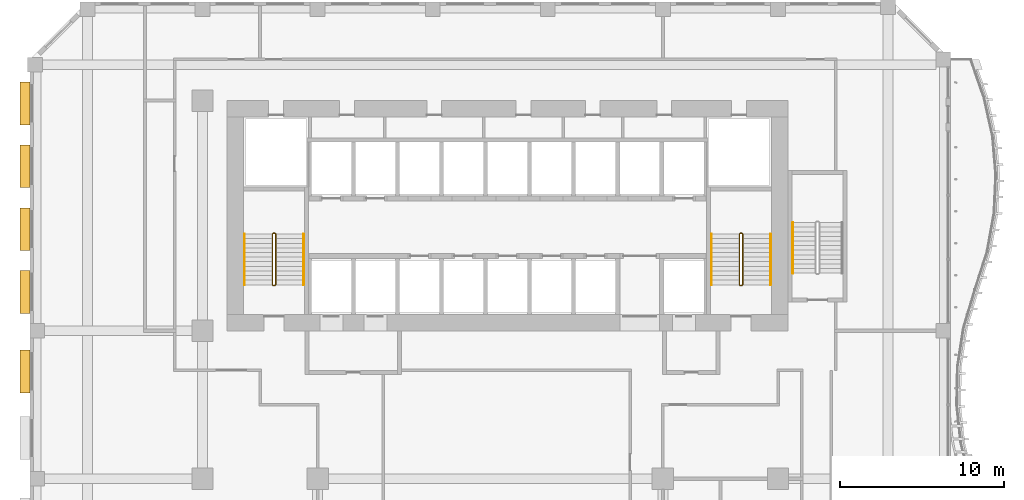
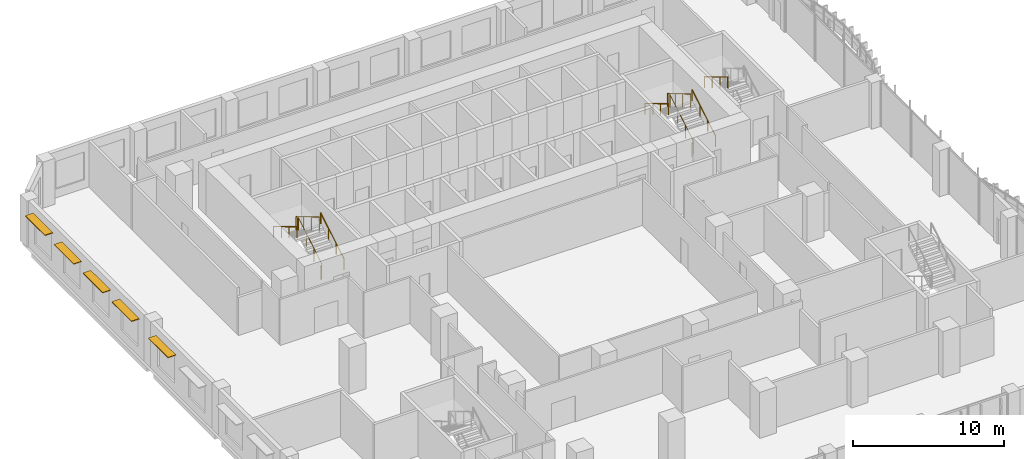
# One storey, part 23 of 24: 7 railings, 5 shading devices.
"""IFC4 building model written with IfcOpenShell, lengths in metres."""

from ifc_helpers import new_model, si_unit, direction, frame, origin, origin_2d, place, context, subcontext, project, spatial, rectangle, circle, extrude, source, transform, mapped, material, layer, layer_set, type_object, element, save


model = new_model("IFC4")

# Units and contexts
model_context = context("Model", 3, precision=1e-05, world=origin(), true_north=direction((0.0, 1.0)))
body_context = subcontext(model_context, "Body", "Model", "MODEL_VIEW")
ifc_project = project(units=[si_unit("LENGTHUNIT", "METRE"), si_unit("AREAUNIT", "SQUARE_METRE"), si_unit("VOLUMEUNIT", "CUBIC_METRE"), si_unit("PLANEANGLEUNIT", "RADIAN"), si_unit("MASSUNIT", "GRAM", prefix="KILO")], contexts=[model_context])

# Site, building, storey
site_placement = place(None, origin())
site = spatial("IfcSite", under=ifc_project, at=site_placement, CompositionType="ELEMENT")
building_placement = place(site_placement, origin())
building = spatial("IfcBuilding", under=site, at=building_placement, Name="Kilnfold Tower and Market Hall", CompositionType="ELEMENT")
storey_placement = place(building_placement, frame((0.0, 0.0, 35.0)))
storey = spatial("IfcBuildingStorey", under=building, at=storey_placement, Name="L07", CompositionType="ELEMENT", Elevation=35.0)

# Railings
ifc_material_1 = material(Name="Stainless steel 316", Category="steel")
railing_type_1 = type_object("IfcRailingType", Name="CORE STAIR GUARD 1100", PredefinedType="GUARDRAIL", material=ifc_material_1)
railing_1_placement = place(storey_placement, frame((-13.199951171875, 10.75, 0.0)))
element("IfcRailing", 1, at=railing_1_placement, inside=storey, type_object=railing_type_1, Name="L07 ST1 stair guard 1", PredefinedType="GUARDRAIL", context=body_context, shape_type="SweptSolid", body=[
    extrude(circle(Radius=0.02392578125, at=origin_2d()), frame((0.0, 0.0, 1.076171875), z_axis=(1.0, 0.0, 0.0), x_axis=(0.0, 1.0, 0.0)), (0.0, 0.0, 1.0), 0.099853515625),
    extrude(circle(Radius=0.02392578125, at=origin_2d()), frame((0.099853515625, 0.0, 1.076171875), z_axis=(0.27628659633, 0.27628659633, 0.920506074601), x_axis=(-0.707106781187, 0.707106781187, 0.0)), (0.0, 0.0, 1.0), 0.18115234375),
    extrude(circle(Radius=0.02392578125, at=origin_2d()), frame((0.14990234375, 0.050048828125, 1.24267578125), z_axis=(0.0, 0.859290745958, 0.51148745235), x_axis=(-1.0, 0.0, 0.0)), (0.0, 0.0, 1.0), 3.584228515625),
    extrude(circle(Radius=0.02392578125, at=origin_2d()), frame((0.14990234375, 3.1298828125, 3.076171875), z_axis=(-0.707106781187, 0.707106781187, 0.0), x_axis=(-0.707106781187, -0.707106781187, 0.0)), (0.0, 0.0, 1.0), 0.07080078125),
    extrude(circle(Radius=0.02392578125, at=origin_2d()), frame((0.099853515625, 3.179931640625, 3.076171875), z_axis=(-1.0, 0.0, 0.0), x_axis=(0.0, -1.0, 0.0)), (0.0, 0.0, 1.0), 0.099853515625),
    extrude(circle(Radius=0.02392578125, at=origin_2d()), frame((0.0, 3.179931640625, 3.076171875), z_axis=(-0.27628659633, -0.27628659633, 0.920506074601), x_axis=(0.707106781187, -0.707106781187, 0.0)), (0.0, 0.0, 1.0), 0.18115234375),
    extrude(circle(Radius=0.02392578125, at=origin_2d()), frame((-0.050048828125, 3.1298828125, 3.24267578125), z_axis=(0.0, -0.859290745958, 0.51148745235), x_axis=(1.0, 0.0, 0.0)), (0.0, 0.0, 1.0), 3.584228515625),
    extrude(circle(Radius=0.02099609375, at=origin_2d()), origin(), (0.0, 0.0, 1.0), 1.052001953125),
    extrude(circle(Radius=0.02099609375, at=origin_2d()), frame((0.099853515625, 0.0, 0.0)), (0.0, 0.0, 1.0), 1.052001953125),
    extrude(circle(Radius=0.02099609375, at=origin_2d()), frame((0.14990234375, 0.050048828125, 0.166748046875)), (0.0, 0.0, 1.0), 1.052001953125),
    extrude(circle(Radius=0.02099609375, at=origin_2d()), frame((0.14990234375, 1.07666015625, 0.77783203125)), (0.0, 0.0, 1.0), 1.052001953125),
    extrude(circle(Radius=0.02099609375, at=origin_2d()), frame((0.14990234375, 2.103271484375, 1.388916015625)), (0.0, 0.0, 1.0), 1.052001953125),
    extrude(circle(Radius=0.02099609375, at=origin_2d()), frame((0.14990234375, 3.1298828125, 2.0)), (0.0, 0.0, 1.0), 1.052001953125),
    extrude(circle(Radius=0.02099609375, at=origin_2d()), frame((0.099853515625, 3.179931640625, 2.0)), (0.0, 0.0, 1.0), 1.052001953125),
    extrude(circle(Radius=0.02099609375, at=origin_2d()), frame((0.0, 3.179931640625, 2.0)), (0.0, 0.0, 1.0), 1.052001953125),
    extrude(circle(Radius=0.02099609375, at=origin_2d()), frame((-0.050048828125, 3.1298828125, 2.166748046875)), (0.0, 0.0, 1.0), 1.052001953125),
    extrude(circle(Radius=0.02099609375, at=origin_2d()), frame((-0.050048828125, 2.103271484375, 2.77783203125)), (0.0, 0.0, 1.0), 1.052001953125),
    extrude(circle(Radius=0.02099609375, at=origin_2d()), frame((-0.050048828125, 1.07666015625, 3.388916015625)), (0.0, 0.0, 1.0), 1.052001953125),
    extrude(circle(Radius=0.02099609375, at=origin_2d()), frame((-0.050048828125, 0.050048828125, 4.0)), (0.0, 0.0, 1.0), 1.052001953125),
])
railing_2_placement = place(storey_placement, frame((15.199951171875, 10.75, 0.0)))
element("IfcRailing", 2, at=railing_2_placement, inside=storey, type_object=railing_type_1, Name="L07 ST2 stair guard 1", PredefinedType="GUARDRAIL", context=body_context, shape_type="SweptSolid", body=[
    extrude(circle(Radius=0.02392578125, at=origin_2d()), frame((0.0, 0.0, 1.076171875), z_axis=(1.0, 0.0, 0.0), x_axis=(0.0, 1.0, 0.0)), (0.0, 0.0, 1.0), 0.10009765625),
    extrude(circle(Radius=0.02392578125, at=origin_2d()), frame((0.10009765625, 0.0, 1.076171875), z_axis=(0.27628659633, 0.27628659633, 0.920506074601), x_axis=(-0.707106781187, 0.707106781187, 0.0)), (0.0, 0.0, 1.0), 0.18115234375),
    extrude(circle(Radius=0.02392578125, at=origin_2d()), frame((0.150146484375, 0.050048828125, 1.24267578125), z_axis=(0.0, 0.859290745958, 0.51148745235), x_axis=(-1.0, 0.0, 0.0)), (0.0, 0.0, 1.0), 3.584228515625),
    extrude(circle(Radius=0.02392578125, at=origin_2d()), frame((0.150146484375, 3.1298828125, 3.076171875), z_axis=(-0.707106781187, 0.707106781187, 0.0), x_axis=(-0.707106781187, -0.707106781187, 0.0)), (0.0, 0.0, 1.0), 0.07080078125),
    extrude(circle(Radius=0.02392578125, at=origin_2d()), frame((0.10009765625, 3.179931640625, 3.076171875), z_axis=(-1.0, 0.0, 0.0), x_axis=(0.0, -1.0, 0.0)), (0.0, 0.0, 1.0), 0.10009765625),
    extrude(circle(Radius=0.02392578125, at=origin_2d()), frame((0.0, 3.179931640625, 3.076171875), z_axis=(-0.27628659633, -0.27628659633, 0.920506074601), x_axis=(0.707106781187, -0.707106781187, 0.0)), (0.0, 0.0, 1.0), 0.18115234375),
    extrude(circle(Radius=0.02392578125, at=origin_2d()), frame((-0.050048828125, 3.1298828125, 3.24267578125), z_axis=(0.0, -0.859290745958, 0.51148745235), x_axis=(1.0, 0.0, 0.0)), (0.0, 0.0, 1.0), 3.584228515625),
    extrude(circle(Radius=0.02099609375, at=origin_2d()), origin(), (0.0, 0.0, 1.0), 1.052001953125),
    extrude(circle(Radius=0.02099609375, at=origin_2d()), frame((0.10009765625, 0.0, 0.0)), (0.0, 0.0, 1.0), 1.052001953125),
    extrude(circle(Radius=0.02099609375, at=origin_2d()), frame((0.150146484375, 0.050048828125, 0.166748046875)), (0.0, 0.0, 1.0), 1.052001953125),
    extrude(circle(Radius=0.02099609375, at=origin_2d()), frame((0.150146484375, 1.07666015625, 0.77783203125)), (0.0, 0.0, 1.0), 1.052001953125),
    extrude(circle(Radius=0.02099609375, at=origin_2d()), frame((0.150146484375, 2.103271484375, 1.388916015625)), (0.0, 0.0, 1.0), 1.052001953125),
    extrude(circle(Radius=0.02099609375, at=origin_2d()), frame((0.150146484375, 3.1298828125, 2.0)), (0.0, 0.0, 1.0), 1.052001953125),
    extrude(circle(Radius=0.02099609375, at=origin_2d()), frame((0.10009765625, 3.179931640625, 2.0)), (0.0, 0.0, 1.0), 1.052001953125),
    extrude(circle(Radius=0.02099609375, at=origin_2d()), frame((0.0, 3.179931640625, 2.0)), (0.0, 0.0, 1.0), 1.052001953125),
    extrude(circle(Radius=0.02099609375, at=origin_2d()), frame((-0.050048828125, 3.1298828125, 2.166748046875)), (0.0, 0.0, 1.0), 1.052001953125),
    extrude(circle(Radius=0.02099609375, at=origin_2d()), frame((-0.050048828125, 2.103271484375, 2.77783203125)), (0.0, 0.0, 1.0), 1.052001953125),
    extrude(circle(Radius=0.02099609375, at=origin_2d()), frame((-0.050048828125, 1.07666015625, 3.388916015625)), (0.0, 0.0, 1.0), 1.052001953125),
    extrude(circle(Radius=0.02099609375, at=origin_2d()), frame((-0.050048828125, 0.050048828125, 4.0)), (0.0, 0.0, 1.0), 1.052001953125),
])
ifc_material_2 = material(Name="Stainless steel 316", Category="steel")
railing_type_2 = type_object("IfcRailingType", Name="CORE STAIR HANDRAIL 900", PredefinedType="HANDRAIL", material=ifc_material_2)
railing_3_placement = place(storey_placement, frame((-11.35009765625, 10.800048828125, 0.166748046875)))
element("IfcRailing", 3, at=railing_3_placement, inside=storey, type_object=railing_type_2, Name="L07 ST1 stair handrail 1", PredefinedType="HANDRAIL", context=body_context, shape_type="SweptSolid", body=[
    extrude(circle(Radius=0.02392578125, at=origin_2d()), frame((0.0, 0.0, 0.8759765625), z_axis=(0.0, 0.859290745958, 0.51148745235), x_axis=(-1.0, 0.0, 0.0)), (0.0, 0.0, 1.0), 3.584228515625),
    extrude(circle(Radius=0.02099609375, at=origin_2d()), origin(), (0.0, 0.0, 1.0), 0.851806640625),
    extrude(circle(Radius=0.02099609375, at=origin_2d()), frame((0.0, 1.026611328125, 0.611083984375)), (0.0, 0.0, 1.0), 0.851806640625),
    extrude(circle(Radius=0.02099609375, at=origin_2d()), frame((0.0, 2.05322265625, 1.22216796875)), (0.0, 0.0, 1.0), 0.851806640625),
    extrude(circle(Radius=0.02099609375, at=origin_2d()), frame((0.0, 3.079833984375, 1.833251953125)), (0.0, 0.0, 1.0), 0.851806640625),
])
railing_4_placement = place(storey_placement, frame((-14.949951171875, 13.8798828125, 2.166748046875)))
element("IfcRailing", 4, at=railing_4_placement, inside=storey, type_object=railing_type_2, Name="L07 ST1 stair handrail 2", PredefinedType="HANDRAIL", context=body_context, shape_type="SweptSolid", body=[
    extrude(circle(Radius=0.02392578125, at=origin_2d()), frame((0.0, 0.0, 0.8759765625), z_axis=(0.0, -0.859290745958, 0.51148745235), x_axis=(1.0, 0.0, 0.0)), (0.0, 0.0, 1.0), 3.584228515625),
    extrude(circle(Radius=0.02099609375, at=origin_2d()), origin(), (0.0, 0.0, 1.0), 0.851806640625),
    extrude(circle(Radius=0.02099609375, at=origin_2d()), frame((0.0, -1.026611328125, 0.611083984375)), (0.0, 0.0, 1.0), 0.851806640625),
    extrude(circle(Radius=0.02099609375, at=origin_2d()), frame((0.0, -2.05322265625, 1.22216796875)), (0.0, 0.0, 1.0), 0.851806640625),
    extrude(circle(Radius=0.02099609375, at=origin_2d()), frame((0.0, -3.079833984375, 1.833251953125)), (0.0, 0.0, 1.0), 0.851806640625),
])
railing_5_placement = place(storey_placement, frame((17.050048828125, 10.800048828125, 0.166748046875)))
element("IfcRailing", 5, at=railing_5_placement, inside=storey, type_object=railing_type_2, Name="L07 ST2 stair handrail 1", PredefinedType="HANDRAIL", context=body_context, shape_type="SweptSolid", body=[
    extrude(circle(Radius=0.02392578125, at=origin_2d()), frame((0.0, 0.0, 0.8759765625), z_axis=(0.0, 0.859290745958, 0.51148745235), x_axis=(-1.0, 0.0, 0.0)), (0.0, 0.0, 1.0), 3.584228515625),
    extrude(circle(Radius=0.02099609375, at=origin_2d()), origin(), (0.0, 0.0, 1.0), 0.851806640625),
    extrude(circle(Radius=0.02099609375, at=origin_2d()), frame((0.0, 1.026611328125, 0.611083984375)), (0.0, 0.0, 1.0), 0.851806640625),
    extrude(circle(Radius=0.02099609375, at=origin_2d()), frame((0.0, 2.05322265625, 1.22216796875)), (0.0, 0.0, 1.0), 0.851806640625),
    extrude(circle(Radius=0.02099609375, at=origin_2d()), frame((0.0, 3.079833984375, 1.833251953125)), (0.0, 0.0, 1.0), 0.851806640625),
])
railing_6_placement = place(storey_placement, frame((13.449951171875, 13.8798828125, 2.166748046875)))
element("IfcRailing", 6, at=railing_6_placement, inside=storey, type_object=railing_type_2, Name="L07 ST2 stair handrail 2", PredefinedType="HANDRAIL", context=body_context, shape_type="SweptSolid", body=[
    extrude(circle(Radius=0.02392578125, at=origin_2d()), frame((0.0, 0.0, 0.8759765625), z_axis=(0.0, -0.859290745958, 0.51148745235), x_axis=(1.0, 0.0, 0.0)), (0.0, 0.0, 1.0), 3.584228515625),
    extrude(circle(Radius=0.02099609375, at=origin_2d()), origin(), (0.0, 0.0, 1.0), 0.851806640625),
    extrude(circle(Radius=0.02099609375, at=origin_2d()), frame((0.0, -1.026611328125, 0.611083984375)), (0.0, 0.0, 1.0), 0.851806640625),
    extrude(circle(Radius=0.02099609375, at=origin_2d()), frame((0.0, -2.05322265625, 1.22216796875)), (0.0, 0.0, 1.0), 0.851806640625),
    extrude(circle(Radius=0.02099609375, at=origin_2d()), frame((0.0, -3.079833984375, 1.833251953125)), (0.0, 0.0, 1.0), 0.851806640625),
])
railing_7_placement = place(storey_placement, frame((18.39990234375, 14.580078125, 2.166748046875)))
element("IfcRailing", 7, at=railing_7_placement, inside=storey, type_object=railing_type_2, Name="L07 ST5 stair handrail 2", PredefinedType="HANDRAIL", context=body_context, shape_type="SweptSolid", body=[
    extrude(circle(Radius=0.02392578125, at=origin_2d()), frame((0.0, 0.0, 0.8759765625), z_axis=(0.0, -0.859308565015, 0.511457515432), x_axis=(1.0, 0.0, 0.0)), (0.0, 0.0, 1.0), 3.58447265625),
    extrude(circle(Radius=0.02099609375, at=origin_2d()), origin(), (0.0, 0.0, 1.0), 0.851806640625),
    extrude(circle(Radius=0.02099609375, at=origin_2d()), frame((0.0, -1.026611328125, 0.611083984375)), (0.0, 0.0, 1.0), 0.851806640625),
    extrude(circle(Radius=0.02099609375, at=origin_2d()), frame((0.0, -2.053466796875, 1.22216796875)), (0.0, 0.0, 1.0), 0.851806640625),
    extrude(circle(Radius=0.02099609375, at=origin_2d()), frame((0.0, -3.080078125, 1.833251953125)), (0.0, 0.0, 1.0), 0.851806640625),
])

# Shading devices
ifc_material_3 = material(Name="Terracotta", Category="masonry")
ifc_layer = layer(ifc_material_3, 0.06005859375)
ifc_layer_set = layer_set([ifc_layer], Name="Terracotta")
shading_device_type = type_object("IfcShadingDeviceType", Name="SUNSHADE BLADE 600", PredefinedType="USERDEFINED", material=ifc_layer_set)
shared_shape = source(origin(), body_context, "Body", "SweptSolid", [
    extrude(rectangle(XDim=2.60009765625, YDim=0.60009765625, at=origin_2d()), origin(), (0.0, 0.0, 1.0), 0.06005859375),
])
for number, where, z_axis, x_axis, name in (
    (8, (-28.300048828125, 21.821533203125, 3.030029296875), (0.0, 0.0, 1.0), (0.0, -1.0, 0.0), "Sunshade L07 W"),
    (9, (-28.300048828125, 18.001220703125, 3.030029296875), (0.0, 0.0, 1.0), (0.0, -1.0, 0.0), "Sunshade L07 W"),
    (10, (-28.300048828125, 14.1806640625, 3.030029296875), (0.0, 0.0, 1.0), (0.0, -1.0, 0.0), "Sunshade L07 W"),
    (11, (-28.300048828125, 10.3603515625, 3.030029296875), (0.0, 0.0, 1.0), (0.0, -1.0, 0.0), "Sunshade L07 W"),
    (12, (-28.300048828125, 5.52490234375, 3.030029296875), (0.0, 0.0, 1.0), (0.0, -1.0, 0.0), "Sunshade L07 W"),
):
    element("IfcShadingDevice", number, at=place(storey_placement, frame(where, z_axis=z_axis, x_axis=x_axis)), inside=storey, type_object=shading_device_type, Name=name, ObjectType="SUNSHADE", PredefinedType="USERDEFINED", context=body_context, shape_type="MappedRepresentation", body=[
        mapped(shared_shape, transform((0.0, 0.0, 0.0))),
    ])

save(model, "model.ifc")
